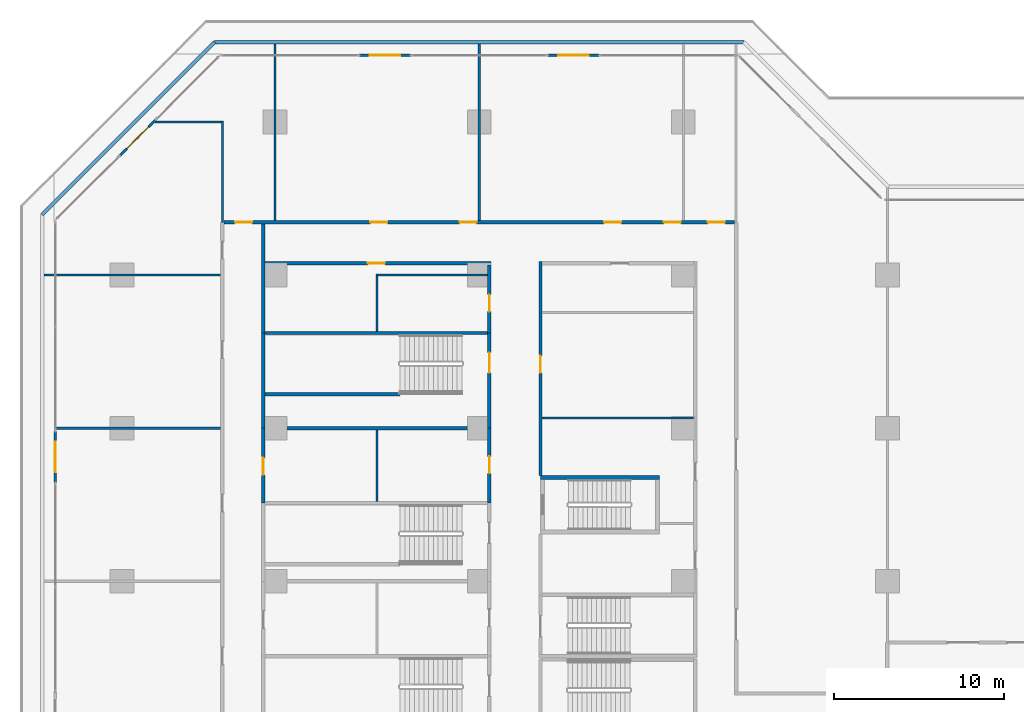
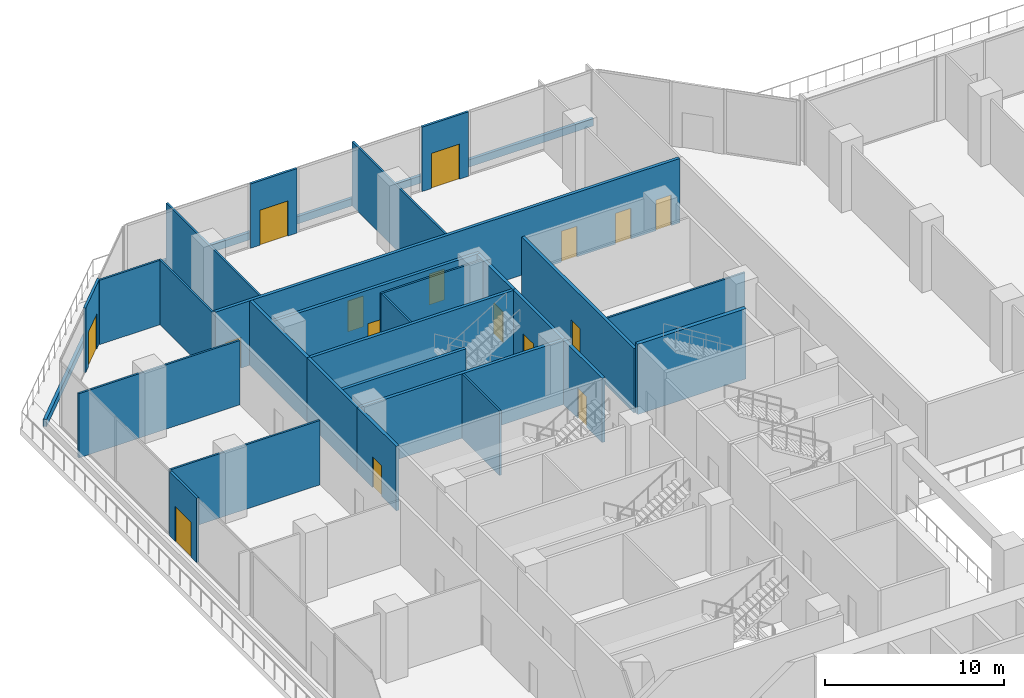
# One storey, part 21 of 31: 29 walls, 16 doors, 16 openings.
"""IFC4 building model written with IfcOpenShell, lengths in metres."""

import ifcopenshell
import ifcopenshell.guid

model = None  # the IFC model being written
_history = None  # IfcOwnerHistory: only IFC2X3 demands one
_inside = {}  # id of a spatial element -> (the spatial element, [elements in it])
_under = {}  # id of a project, library or spatial element -> (it, [spatial elements below it])
_declared = {}  # id of a project -> (the project, [libraries it declares])
_typed = {}  # id of a type object -> (the type object, [elements of that type])
_made_of = {}  # id of a material, layer set ... -> (it, [elements and type objects made of it])


def new_model(schema):
    """Start an empty IFC model of exactly this schema.

    Asked for "IFC4X3", IfcOpenShell would pick the latest addendum, in which some entities
    have other attributes; the version numbers below select the first issue.
    IFC2X3 requires an IfcOwnerHistory on every rooted entity: one is made here for all.
    """
    global model, _history
    if schema == "IFC4X3":
        model = ifcopenshell.file(schema_version=(4, 3, 0, 0))
    else:
        model = ifcopenshell.file(schema=schema)
    _inside.clear()
    _under.clear()
    _declared.clear()
    _typed.clear()
    _made_of.clear()
    _history = None
    if model.schema == "IFC2X3":
        org = make("IfcOrganization", Name="unknown")
        user = make(
            "IfcPersonAndOrganization",
            ThePerson=make("IfcPerson", FamilyName="unknown"),
            TheOrganization=org,
        )
        app = make(
            "IfcApplication",
            ApplicationDeveloper=org,
            Version="unknown",
            ApplicationFullName="unknown",
            ApplicationIdentifier="unknown",
        )
        _history = make(
            "IfcOwnerHistory",
            OwningUser=user,
            OwningApplication=app,
            ChangeAction="ADDED",
            CreationDate=0,
        )
    return model


def make(cls, **values):
    """One entity of the class cls with the attributes given. An attribute that is None is left unset."""
    return model.create_entity(
        cls, **{name: value for name, value in values.items() if value is not None}
    )


def rooted(cls, **values):
    """An entity with a GlobalId (a new one), such as an element, a storey or a relation."""
    return make(cls, GlobalId=ifcopenshell.guid.new(), OwnerHistory=_history, **values)


def si_unit(unit_type, name, prefix=None):
    """IfcSIUnit, for example si_unit("LENGTHUNIT", "METRE", prefix="MILLI")."""
    return make("IfcSIUnit", UnitType=unit_type, Prefix=prefix, Name=name)


def assignment(units):
    """IfcUnitAssignment: the units of a project."""
    return None if units is None else make("IfcUnitAssignment", Units=units)


def point(xyz):
    """IfcCartesianPoint."""
    return None if xyz is None else make("IfcCartesianPoint", Coordinates=xyz)


def direction(xyz):
    """IfcDirection."""
    return None if xyz is None else make("IfcDirection", DirectionRatios=xyz)


def frame(location, z_axis=None, x_axis=None):
    """IfcAxis2Placement3D, a coordinate frame: its origin and axes. An axis left out is left unset."""
    return make(
        "IfcAxis2Placement3D",
        Location=point(location),
        Axis=direction(z_axis),
        RefDirection=direction(x_axis),
    )


def frame_2d(location, x_axis=None):
    """IfcAxis2Placement2D, a coordinate frame in the plane: its origin and x axis."""
    return make(
        "IfcAxis2Placement2D", Location=point(location), RefDirection=direction(x_axis)
    )


def origin():
    """The frame at (0, 0, 0) with its axes left unset."""
    return frame((0.0, 0.0, 0.0))


def place(relative_to, where):
    """IfcLocalPlacement: puts the frame where relative to a parent placement (None: the world)."""
    return make(
        "IfcLocalPlacement", PlacementRelTo=relative_to, RelativePlacement=where
    )


def context(
    kind, dimensions, precision=None, world=None, true_north=None, identifier=None
):
    """IfcGeometricRepresentationContext, for example the 3D "Model" context."""
    return make(
        "IfcGeometricRepresentationContext",
        ContextIdentifier=identifier,
        ContextType=kind,
        CoordinateSpaceDimension=dimensions,
        Precision=precision,
        WorldCoordinateSystem=world,
        TrueNorth=true_north,
    )


def subcontext(parent, identifier, kind, view, scale=None):
    """IfcGeometricRepresentationSubContext, for example "Body" below "Model"."""
    return make(
        "IfcGeometricRepresentationSubContext",
        ContextIdentifier=identifier,
        ContextType=kind,
        ParentContext=parent,
        TargetScale=scale,
        TargetView=view,
    )


def project(units=None, contexts=None):
    """IfcProject with its units and contexts."""
    return rooted(
        "IfcProject",
        Name="project",
        RepresentationContexts=contexts,
        UnitsInContext=assignment(units),
    )


def spatial(cls, under=None, at=None, **own):
    """A site, building, storey or space (cls), placed at a placement, below another one or the project."""
    s = rooted(cls, ObjectPlacement=at, **own)
    if under is not None:
        _under.setdefault(under.id(), (under, []))[1].append(s)
    return s


def profile(cls, at=None, kind="AREA", **sizes):
    """A parametric profile (cls). Its sizes go by their IFC names, for example OverallWidth=200.0."""
    return make(cls, ProfileType=kind, Position=at, **sizes)


def rectangle(**sizes):
    """IfcRectangleProfileDef."""
    return profile("IfcRectangleProfileDef", **sizes)


def extrude(swept, where, along, depth):
    """IfcExtrudedAreaSolid: the profile swept, set in the frame where, extruded along a direction by depth."""
    return make(
        "IfcExtrudedAreaSolid",
        SweptArea=swept,
        Position=where,
        ExtrudedDirection=direction(along),
        Depth=depth,
    )


def shape(context_of_items, identifier, shape_type, items):
    """IfcShapeRepresentation: the items that make up one representation, for example the "Body"."""
    return make(
        "IfcShapeRepresentation",
        ContextOfItems=context_of_items,
        RepresentationIdentifier=identifier,
        RepresentationType=shape_type,
        Items=items,
    )


def material(Name=None, Category=None):
    """IfcMaterial."""
    return make("IfcMaterial", Name=Name, Category=Category)


def layer(
    of_material, thickness, ventilated=None, Name=None, Category=None, Priority=None
):
    """IfcMaterialLayer: one layer of a wall or slab, of a material (None: an air gap)."""
    return make(
        "IfcMaterialLayer",
        Material=of_material,
        LayerThickness=thickness,
        IsVentilated=ventilated,
        Name=Name,
        Category=Category,
        Priority=Priority,
    )


def layer_set(layers, Name=None):
    """IfcMaterialLayerSet."""
    return make("IfcMaterialLayerSet", MaterialLayers=layers, LayerSetName=Name)


def made_of(thing, what):
    """Note that an element or type object is made of a material, layer set ...; save() writes the relation."""
    if what is not None:
        _made_of.setdefault(what.id(), (what, []))[1].append(thing)
    return thing


def type_object(cls, material=None, **own):
    """A type object (cls), such as IfcWallType, which elements share."""
    return made_of(rooted(cls, **own), material)


def element(
    cls,
    number,
    at=None,
    inside=None,
    cuts=None,
    type_object=None,
    material=None,
    context=None,
    identifier="Body",
    shape_type=None,
    held_by="IfcProductDefinitionShape",
    body=None,
    shapes=None,
    **own,
):
    """One element of the class cls, such as IfcWall. Its Tag is "e" and its number.

    at: its placement. inside: the storey or other place that contains it. cuts: it is an
    opening in that element (IfcRelVoidsElement). A single representation is given by context,
    identifier, shape_type and body (its items); several are given by shapes. held_by: the class
    of the entity that holds the representations. save() writes the other relations.
    """
    e = rooted(cls, Tag="e%d" % number, ObjectPlacement=at, **own)
    if body is not None:
        shapes = [shape(context, identifier, shape_type, body)]
    if shapes is not None:
        e.Representation = make(held_by, Representations=shapes)
    if inside is not None:
        _inside.setdefault(inside.id(), (inside, []))[1].append(e)
    if cuts is not None:
        rooted(
            "IfcRelVoidsElement", RelatingBuildingElement=cuts, RelatedOpeningElement=e
        )
    if type_object is not None:
        _typed.setdefault(type_object.id(), (type_object, []))[1].append(e)
    return made_of(e, material)


def fill(opening, filler):
    """IfcRelFillsElement: the door or window that sits in an opening."""
    return rooted(
        "IfcRelFillsElement",
        RelatingOpeningElement=opening,
        RelatedBuildingElement=filler,
    )


def aggregate(whole, parts):
    """IfcRelAggregates: a whole, such as a stair, and the parts it consists of."""
    return rooted("IfcRelAggregates", RelatingObject=whole, RelatedObjects=parts)


def save(model, path):
    """Write the relations noted so far, then the file.

    IfcRelAggregates (storeys below a building ...), IfcRelContainedInSpatialStructure (elements
    in a storey), IfcRelDefinesByType, IfcRelAssociatesMaterial and IfcRelDeclares: one each for
    every whole, place, type object, material and project.
    """
    for whole, parts in _under.values():
        aggregate(whole, parts)
    for where, things in _inside.values():
        rooted(
            "IfcRelContainedInSpatialStructure",
            RelatedElements=things,
            RelatingStructure=where,
        )
    for kind, things in _typed.values():
        rooted("IfcRelDefinesByType", RelatedObjects=things, RelatingType=kind)
    for what, things in _made_of.values():
        rooted("IfcRelAssociatesMaterial", RelatedObjects=things, RelatingMaterial=what)
    for by, libraries in _declared.values():
        rooted("IfcRelDeclares", RelatingContext=by, RelatedDefinitions=libraries)
    model.write(path)


model = new_model("IFC4")

# Units and contexts
model_context = context("Model", 3, precision=1e-05, world=origin(), true_north=direction((0.0, 1.0)))
body_context = subcontext(model_context, "Body", "Model", "MODEL_VIEW")
ifc_project = project(units=[si_unit("LENGTHUNIT", "METRE"), si_unit("AREAUNIT", "SQUARE_METRE"), si_unit("VOLUMEUNIT", "CUBIC_METRE"), si_unit("PLANEANGLEUNIT", "RADIAN"), si_unit("MASSUNIT", "GRAM", prefix="KILO")], contexts=[model_context])

# Site, building, storey
site_placement = place(None, origin())
site = spatial("IfcSite", under=ifc_project, at=site_placement, CompositionType="ELEMENT")
building_placement = place(site_placement, origin())
building = spatial("IfcBuilding", under=site, at=building_placement, Name="Chenar Terraces", CompositionType="ELEMENT")
storey_placement = place(building_placement, frame((0.0, 0.0, 7.199951171875)))
storey = spatial("IfcBuildingStorey", under=building, at=storey_placement, Name="L01", CompositionType="ELEMENT", Elevation=7.199951171875)

# Walls
ifc_material_1 = material(Name="Gypsum board on steel studs with mineral wool", Category="steel")
ifc_layer_1 = layer(ifc_material_1, 0.125)
ifc_layer_set_1 = layer_set([ifc_layer_1], Name="Gypsum board on steel studs with mineral wool")
wall_type_1 = type_object("IfcWallType", Name="Acoustic partition 125", PredefinedType="PARTITIONING", material=ifc_layer_set_1)
wall_1_placement = place(storey_placement, frame((-12.925048828125, 54.0, 0.0), z_axis=(0.0, 0.0, 1.0), x_axis=(1.0, 0.0, 0.0)))
element("IfcWall", 1, at=wall_1_placement, inside=storey, type_object=wall_type_1, Name="Partition L01-004", PredefinedType="PARTITIONING", context=body_context, shape_type="SweptSolid", body=[
    extrude(rectangle(XDim=9.72509765625, YDim=0.125, at=frame_2d((4.862548828125, 0.0))), origin(), (0.0, 0.0, 1.0), 4.400146484375),
])
wall_2_placement = place(storey_placement, frame((-13.60009765625, 63.0, 0.0), z_axis=(0.0, 0.0, 1.0), x_axis=(1.0, 0.0, 0.0)))
element("IfcWall", 2, at=wall_2_placement, inside=storey, type_object=wall_type_1, Name="Partition L01-005", PredefinedType="PARTITIONING", context=body_context, shape_type="SweptSolid", body=[
    extrude(rectangle(XDim=10.400146484375, YDim=0.125, at=frame_2d((5.2001953125, 0.0))), origin(), (0.0, 0.0, 1.0), 4.400146484375),
])
wall_3_placement = place(storey_placement, frame((-7.052978515625, 72.0, 0.0), z_axis=(0.0, 0.0, 1.0), x_axis=(1.0, 0.0, 0.0)))
element("IfcWall", 3, at=wall_3_placement, inside=storey, type_object=wall_type_1, Name="Partition L01-007", PredefinedType="PARTITIONING", context=body_context, shape_type="SweptSolid", body=[
    extrude(rectangle(XDim=3.890869140625, YDim=0.125, at=frame_2d((1.9453125, 0.0))), origin(), (0.0, 0.0, 1.0), 4.400146484375),
])
wall_4_placement = place(storey_placement, frame((-3.10009765625, 66.10009765625, 0.0), z_axis=(0.0, 0.0, 1.0), x_axis=(0.0, 1.0, 0.0)))
element("IfcWall", 4, at=wall_4_placement, inside=storey, type_object=wall_type_1, Name="Partition L01-009", PredefinedType="PARTITIONING", context=body_context, shape_type="SweptSolid", body=[
    extrude(rectangle(XDim=5.9619140625, YDim=0.125, at=frame_2d((2.98095703125, 0.0))), origin(), (0.0, 0.0, 1.0), 4.400146484375),
])
wall_5_placement = place(storey_placement, frame((0.0, 66.199951171875, 0.0), z_axis=(0.0, 0.0, 1.0), x_axis=(0.0, 1.0, 0.0)))
element("IfcWall", 5, at=wall_5_placement, inside=storey, type_object=wall_type_1, Name="Partition L01-033", PredefinedType="PARTITIONING", context=body_context, shape_type="SweptSolid", body=[
    extrude(rectangle(XDim=10.400146484375, YDim=0.125, at=frame_2d((5.2001953125, 0.0))), origin(), (0.0, 0.0, 1.0), 4.400146484375),
])
wall_6_placement = place(storey_placement, frame((5.93798828125, 63.0, 0.0), z_axis=(0.0, 0.0, 1.0), x_axis=(1.0, 0.0, 0.0)))
element("IfcWall", 6, at=wall_6_placement, inside=storey, type_object=wall_type_1, Name="Partition L01-035", PredefinedType="PARTITIONING", context=body_context, shape_type="SweptSolid", body=[
    extrude(rectangle(XDim=6.56201171875, YDim=0.125, at=frame_2d((3.281005859375, 0.0))), origin(), (0.0, 0.0, 1.0), 4.400146484375),
])
wall_7_placement = place(storey_placement, frame((6.0, 49.699951171875, 0.0), z_axis=(0.0, 0.0, 1.0), x_axis=(0.0, 1.0, 0.0)))
element("IfcWall", 7, at=wall_7_placement, inside=storey, type_object=wall_type_1, Name="Partition L01-038", PredefinedType="PARTITIONING", context=body_context, shape_type="SweptSolid", body=[
    extrude(rectangle(XDim=4.199951171875, YDim=0.125, at=frame_2d((2.10009765625, 0.0))), origin(), (0.0, 0.0, 1.0), 4.400146484375),
])
wall_8_placement = place(storey_placement, frame((6.0, 59.699951171875, 0.0), z_axis=(0.0, 0.0, 1.0), x_axis=(0.0, 1.0, 0.0)))
element("IfcWall", 8, at=wall_8_placement, inside=storey, type_object=wall_type_1, Name="Partition L01-039", PredefinedType="PARTITIONING", context=body_context, shape_type="SweptSolid", body=[
    extrude(rectangle(XDim=3.238037109375, YDim=0.125, at=frame_2d((1.619140625, 0.0))), origin(), (0.0, 0.0, 1.0), 4.400146484375),
])
wall_9_placement = place(storey_placement, frame((12.0, 66.199951171875, 0.0), z_axis=(0.0, 0.0, 1.0), x_axis=(0.0, 1.0, 0.0)))
element("IfcWall", 9, at=wall_9_placement, inside=storey, type_object=wall_type_1, Name="Partition L01-042", PredefinedType="PARTITIONING", context=body_context, shape_type="SweptSolid", body=[
    extrude(rectangle(XDim=10.400146484375, YDim=0.125, at=frame_2d((5.2001953125, 0.0))), origin(), (0.0, 0.0, 1.0), 4.400146484375),
])
wall_10_placement = place(storey_placement, frame((15.699951171875, 54.60009765625, 0.0), z_axis=(0.0, 0.0, 1.0), x_axis=(1.0, 0.0, 0.0)))
element("IfcWall", 10, at=wall_10_placement, inside=storey, type_object=wall_type_1, Name="Partition L01-062", PredefinedType="PARTITIONING", context=body_context, shape_type="SweptSolid", body=[
    extrude(rectangle(XDim=8.900146484375, YDim=0.125, at=frame_2d((4.4501953125, 0.0))), origin(), (0.0, 0.0, 1.0), 4.400146484375),
])
ifc_material_2 = material(Name="Concrete C70/85", Category="concrete")
ifc_layer_2 = layer(ifc_material_2, 0.25)
ifc_layer_set_2 = layer_set([ifc_layer_2], Name="Concrete C70/85")
wall_type_2 = type_object("IfcWallType", Name="Core wall 250 Concrete C70/85", PredefinedType="SHEAR", material=ifc_layer_set_2)
wall_11_placement = place(storey_placement, frame((15.60009765625, 51.10009765625, 0.0), z_axis=(0.0, 0.0, 1.0), x_axis=(1.0, 0.0, 0.0)))
element("IfcWall", 11, at=wall_11_placement, inside=storey, type_object=wall_type_2, Name="Core wall ST4_N L01", PredefinedType="SHEAR", context=body_context, shape_type="SweptSolid", body=[
    extrude(rectangle(XDim=7.0, YDim=0.25, at=frame_2d((3.5, 0.0))), origin(), (0.0, 0.0, 1.0), 4.800048828125),
])

# Wall, openings, doors
ifc_material_3 = material(Name="Gypsum board on steel studs with fire boards", Category="steel")
ifc_layer_3 = layer(ifc_material_3, 0.199951171875)
ifc_layer_set_3 = layer_set([ifc_layer_3], Name="Gypsum board on steel studs with fire boards")
wall_type_3 = type_object("IfcWallType", Name="Corridor wall 200", PredefinedType="PARTITIONING", material=ifc_layer_set_3)
wall_12_placement = place(storey_placement, frame((-3.0, 66.10009765625, 0.0), z_axis=(0.0, 0.0, 1.0), x_axis=(1.0, 0.0, 0.0)))
wall_12 = element("IfcWall", 12, at=wall_12_placement, inside=storey, type_object=wall_type_3, Name="Partition L01-010", PredefinedType="PARTITIONING", context=body_context, shape_type="SweptSolid", body=[
    extrude(rectangle(XDim=30.0, YDim=0.199951171875, at=frame_2d((15.0, 0.0))), origin(), (0.0, 0.0, 1.0), 4.400146484375),
])
opening_1_placement = place(wall_12_placement, frame((0.64990234375, 0.0, 0.0)))
opening_1 = element("IfcOpeningElement", 13, at=opening_1_placement, cuts=wall_12, Name="Opening DL01-55", PredefinedType="OPENING", context=body_context, shape_type="SweptSolid", body=[
    extrude(rectangle(XDim=1.0, YDim=2.10009765625, at=frame_2d((0.5, 1.050048828125))), frame((0.0, 0.10986328125, 0.0), z_axis=(0.0, -1.0, 0.0), x_axis=(1.0, 0.0, 0.0)), (0.0, 0.0, 1.0), 0.219970703125),
])
opening_2_placement = place(wall_12_placement, frame((8.60009765625, 0.0, 0.0)))
opening_2 = element("IfcOpeningElement", 14, at=opening_2_placement, cuts=wall_12, Name="Opening DL01-56", PredefinedType="OPENING", context=body_context, shape_type="SweptSolid", body=[
    extrude(rectangle(XDim=1.0, YDim=2.10009765625, at=frame_2d((0.5, 1.050048828125))), frame((0.0, 0.10986328125, 0.0), z_axis=(0.0, -1.0, 0.0), x_axis=(1.0, 0.0, 0.0)), (0.0, 0.0, 1.0), 0.219970703125),
])
opening_3_placement = place(wall_12_placement, frame((13.85009765625, 0.0, 0.0)))
opening_3 = element("IfcOpeningElement", 15, at=opening_3_placement, cuts=wall_12, Name="Opening DL01-57", PredefinedType="OPENING", context=body_context, shape_type="SweptSolid", body=[
    extrude(rectangle(XDim=1.0, YDim=2.10009765625, at=frame_2d((0.5, 1.050048828125))), frame((0.0, 0.10986328125, 0.0), z_axis=(0.0, -1.0, 0.0), x_axis=(1.0, 0.0, 0.0)), (0.0, 0.0, 1.0), 0.219970703125),
])
opening_4_placement = place(wall_12_placement, frame((22.35009765625, 0.0, 0.0)))
opening_4 = element("IfcOpeningElement", 16, at=opening_4_placement, cuts=wall_12, Name="Opening DL01-58", PredefinedType="OPENING", context=body_context, shape_type="SweptSolid", body=[
    extrude(rectangle(XDim=1.0, YDim=2.10009765625, at=frame_2d((0.5, 1.050048828125))), frame((0.0, 0.10986328125, 0.0), z_axis=(0.0, -1.0, 0.0), x_axis=(1.0, 0.0, 0.0)), (0.0, 0.0, 1.0), 0.219970703125),
])
opening_5_placement = place(wall_12_placement, frame((25.85009765625, 0.0, 0.0)))
opening_5 = element("IfcOpeningElement", 17, at=opening_5_placement, cuts=wall_12, Name="Opening DL01-59", PredefinedType="OPENING", context=body_context, shape_type="SweptSolid", body=[
    extrude(rectangle(XDim=1.0, YDim=2.10009765625, at=frame_2d((0.5, 1.050048828125))), frame((0.0, 0.10986328125, 0.0), z_axis=(0.0, -1.0, 0.0), x_axis=(1.0, 0.0, 0.0)), (0.0, 0.0, 1.0), 0.219970703125),
])
opening_6_placement = place(wall_12_placement, frame((28.449951171875, 0.0, 0.0)))
opening_6 = element("IfcOpeningElement", 18, at=opening_6_placement, cuts=wall_12, Name="Opening DL01-60", PredefinedType="OPENING", context=body_context, shape_type="SweptSolid", body=[
    extrude(rectangle(XDim=1.0, YDim=2.10009765625, at=frame_2d((0.5, 1.050048828125))), frame((0.0, 0.10986328125, 0.0), z_axis=(0.0, -1.0, 0.0), x_axis=(1.0, 0.0, 0.0)), (0.0, 0.0, 1.0), 0.219970703125),
])
ifc_material_4 = material(Name="Steel-framed fire-resisting door leaf", Category="steel")
door_type_1 = type_object("IfcDoorType", Name="Fire door FD60 1000 x 2100", OperationType="SINGLE_SWING_LEFT", PredefinedType="DOOR", material=ifc_material_4)
door_1_placement = place(opening_1_placement, origin())
door_1 = element("IfcDoor", 19, at=door_1_placement, inside=storey, type_object=door_type_1, Name="Door DL01-55", OperationType="SINGLE_SWING_LEFT", OverallHeight=2.10009765625, OverallWidth=1.0, PredefinedType="DOOR", context=body_context, shape_type="SweptSolid", body=[
    extrude(rectangle(XDim=1.0, YDim=2.10009765625, at=frame_2d((0.5, 1.050048828125))), frame((0.0, 0.02490234375, 0.0), z_axis=(0.0, -1.0, 0.0), x_axis=(1.0, 0.0, 0.0)), (0.0, 0.0, 1.0), 0.050048828125),
])
fill(opening_1, door_1)
door_2_placement = place(opening_2_placement, origin())
door_2 = element("IfcDoor", 20, at=door_2_placement, inside=storey, type_object=door_type_1, Name="Door DL01-56", OperationType="SINGLE_SWING_RIGHT", OverallHeight=2.10009765625, OverallWidth=1.0, PredefinedType="DOOR", context=body_context, shape_type="SweptSolid", body=[
    extrude(rectangle(XDim=1.0, YDim=2.10009765625, at=frame_2d((0.5, 1.050048828125))), frame((0.0, 0.02490234375, 0.0), z_axis=(0.0, -1.0, 0.0), x_axis=(1.0, 0.0, 0.0)), (0.0, 0.0, 1.0), 0.050048828125),
])
fill(opening_2, door_2)
door_3_placement = place(opening_3_placement, origin())
door_3 = element("IfcDoor", 21, at=door_3_placement, inside=storey, type_object=door_type_1, Name="Door DL01-57", OperationType="SINGLE_SWING_RIGHT", OverallHeight=2.10009765625, OverallWidth=1.0, PredefinedType="DOOR", context=body_context, shape_type="SweptSolid", body=[
    extrude(rectangle(XDim=1.0, YDim=2.10009765625, at=frame_2d((0.5, 1.050048828125))), frame((0.0, 0.02490234375, 0.0), z_axis=(0.0, -1.0, 0.0), x_axis=(1.0, 0.0, 0.0)), (0.0, 0.0, 1.0), 0.050048828125),
])
fill(opening_3, door_3)
door_4_placement = place(opening_4_placement, frame((1.0, 0.0, 0.0), z_axis=(0.0, 0.0, 1.0), x_axis=(-1.0, 0.0, 0.0)))
door_4 = element("IfcDoor", 22, at=door_4_placement, inside=storey, type_object=door_type_1, Name="Door DL01-58", OperationType="SINGLE_SWING_LEFT", OverallHeight=2.10009765625, OverallWidth=1.0, PredefinedType="DOOR", context=body_context, shape_type="SweptSolid", body=[
    extrude(rectangle(XDim=1.0, YDim=2.10009765625, at=frame_2d((0.5, 1.050048828125))), frame((0.0, 0.02490234375, 0.0), z_axis=(0.0, -1.0, 0.0), x_axis=(1.0, 0.0, 0.0)), (0.0, 0.0, 1.0), 0.050048828125),
])
fill(opening_4, door_4)
door_5_placement = place(opening_5_placement, frame((1.0, 0.0, 0.0), z_axis=(0.0, 0.0, 1.0), x_axis=(-1.0, 0.0, 0.0)))
door_5 = element("IfcDoor", 23, at=door_5_placement, inside=storey, type_object=door_type_1, Name="Door DL01-59", OperationType="SINGLE_SWING_LEFT", OverallHeight=2.10009765625, OverallWidth=1.0, PredefinedType="DOOR", context=body_context, shape_type="SweptSolid", body=[
    extrude(rectangle(XDim=1.0, YDim=2.10009765625, at=frame_2d((0.5, 1.050048828125))), frame((0.0, 0.02490234375, 0.0), z_axis=(0.0, -1.0, 0.0), x_axis=(1.0, 0.0, 0.0)), (0.0, 0.0, 1.0), 0.050048828125),
])
fill(opening_5, door_5)
door_6_placement = place(opening_6_placement, origin())
door_6 = element("IfcDoor", 24, at=door_6_placement, inside=storey, type_object=door_type_1, Name="Door DL01-60", OperationType="SINGLE_SWING_RIGHT", OverallHeight=2.10009765625, OverallWidth=1.0, PredefinedType="DOOR", context=body_context, shape_type="SweptSolid", body=[
    extrude(rectangle(XDim=1.0, YDim=2.10009765625, at=frame_2d((0.5, 1.050048828125))), frame((0.0, 0.02490234375, 0.0), z_axis=(0.0, -1.0, 0.0), x_axis=(1.0, 0.0, 0.0)), (0.0, 0.0, 1.0), 0.050048828125),
])
fill(opening_6, door_6)

# Wall, opening, door
wall_13_placement = place(storey_placement, frame((-0.699951171875, 49.60009765625, 0.0), z_axis=(0.0, 0.0, 1.0), x_axis=(0.0, 1.0, 0.0)))
wall_13 = element("IfcWall", 25, at=wall_13_placement, inside=storey, type_object=wall_type_3, Name="Partition L01-019", PredefinedType="PARTITIONING", context=body_context, shape_type="SweptSolid", body=[
    extrude(rectangle(XDim=4.39990234375, YDim=0.199951171875, at=frame_2d((2.199951171875, 0.0))), origin(), (0.0, 0.0, 1.0), 4.400146484375),
])
opening_7_placement = place(wall_13_placement, frame((1.64990234375, 0.0, 0.0)))
opening_7 = element("IfcOpeningElement", 26, at=opening_7_placement, cuts=wall_13, Name="Opening DL01-39", PredefinedType="OPENING", context=body_context, shape_type="SweptSolid", body=[
    extrude(rectangle(XDim=1.0, YDim=2.10009765625, at=frame_2d((0.5, 1.050048828125))), frame((0.0, 0.10986328125, 0.0), z_axis=(0.0, -1.0, 0.0), x_axis=(1.0, 0.0, 0.0)), (0.0, 0.0, 1.0), 0.219970703125),
])
door_7_placement = place(opening_7_placement, frame((1.0, 0.0, 0.0), z_axis=(0.0, 0.0, 1.0), x_axis=(-1.0, 0.0, 0.0)))
door_7 = element("IfcDoor", 27, at=door_7_placement, inside=storey, type_object=door_type_1, Name="Door DL01-39", OperationType="SINGLE_SWING_LEFT", OverallHeight=2.10009765625, OverallWidth=1.0, PredefinedType="DOOR", context=body_context, shape_type="SweptSolid", body=[
    extrude(rectangle(XDim=1.0, YDim=2.10009765625, at=frame_2d((0.5, 1.050048828125))), frame((0.0, 0.02490234375, 0.0), z_axis=(0.0, -1.0, 0.0), x_axis=(1.0, 0.0, 0.0)), (0.0, 0.0, 1.0), 0.050048828125),
])
fill(opening_7, door_7)

# Wall
wall_14_placement = place(storey_placement, frame((-0.699951171875, 59.60009765625, 0.0), z_axis=(0.0, 0.0, 1.0), x_axis=(0.0, 1.0, 0.0)))
element("IfcWall", 28, at=wall_14_placement, inside=storey, type_object=wall_type_3, Name="Partition L01-021", PredefinedType="PARTITIONING", context=body_context, shape_type="SweptSolid", body=[
    extrude(rectangle(XDim=6.39990234375, YDim=0.199951171875, at=frame_2d((3.199951171875, 0.0))), origin(), (0.0, 0.0, 1.0), 4.400146484375),
])

# Wall, opening, door
wall_15_placement = place(storey_placement, frame((-0.60009765625, 63.699951171875, 0.0), z_axis=(0.0, 0.0, 1.0), x_axis=(1.0, 0.0, 0.0)))
wall_15 = element("IfcWall", 29, at=wall_15_placement, inside=storey, type_object=wall_type_3, Name="Partition L01-032", PredefinedType="PARTITIONING", context=body_context, shape_type="SweptSolid", body=[
    extrude(rectangle(XDim=13.300048828125, YDim=0.199951171875, at=frame_2d((6.64990234375, 0.0))), origin(), (0.0, 0.0, 1.0), 4.400146484375),
])
opening_8_placement = place(wall_15_placement, frame((6.050048828125, 0.0, 0.0)))
opening_8 = element("IfcOpeningElement", 30, at=opening_8_placement, cuts=wall_15, Name="Opening DL01-40", PredefinedType="OPENING", context=body_context, shape_type="SweptSolid", body=[
    extrude(rectangle(XDim=1.0, YDim=2.10009765625, at=frame_2d((0.5, 1.050048828125))), frame((0.0, 0.10986328125, 0.0), z_axis=(0.0, -1.0, 0.0), x_axis=(1.0, 0.0, 0.0)), (0.0, 0.0, 1.0), 0.219970703125),
])
door_8_placement = place(opening_8_placement, origin())
door_8 = element("IfcDoor", 31, at=door_8_placement, inside=storey, type_object=door_type_1, Name="Door DL01-40", OperationType="SINGLE_SWING_RIGHT", OverallHeight=2.10009765625, OverallWidth=1.0, PredefinedType="DOOR", context=body_context, shape_type="SweptSolid", body=[
    extrude(rectangle(XDim=1.0, YDim=2.10009765625, at=frame_2d((0.5, 1.050048828125))), frame((0.0, 0.02490234375, 0.0), z_axis=(0.0, -1.0, 0.0), x_axis=(1.0, 0.0, 0.0)), (0.0, 0.0, 1.0), 0.050048828125),
])
fill(opening_8, door_8)

wall_16_placement = place(storey_placement, frame((12.60009765625, 49.60009765625, 0.0), z_axis=(0.0, 0.0, 1.0), x_axis=(0.0, 1.0, 0.0)))
wall_16 = element("IfcWall", 32, at=wall_16_placement, inside=storey, type_object=wall_type_3, Name="Partition L01-048", PredefinedType="PARTITIONING", context=body_context, shape_type="SweptSolid", body=[
    extrude(rectangle(XDim=4.39990234375, YDim=0.199951171875, at=frame_2d((2.199951171875, 0.0))), origin(), (0.0, 0.0, 1.0), 4.400146484375),
])
opening_9_placement = place(wall_16_placement, frame((1.75, 0.0, 0.0)))
opening_9 = element("IfcOpeningElement", 33, at=opening_9_placement, cuts=wall_16, Name="Opening DL01-14", PredefinedType="OPENING", context=body_context, shape_type="SweptSolid", body=[
    extrude(rectangle(XDim=1.0, YDim=2.10009765625, at=frame_2d((0.5, 1.050048828125))), frame((0.0, 0.10986328125, 0.0), z_axis=(0.0, -1.0, 0.0), x_axis=(1.0, 0.0, 0.0)), (0.0, 0.0, 1.0), 0.219970703125),
])
door_9_placement = place(opening_9_placement, origin())
door_9 = element("IfcDoor", 34, at=door_9_placement, inside=storey, type_object=door_type_1, Name="Door DL01-14", OperationType="SINGLE_SWING_RIGHT", OverallHeight=2.10009765625, OverallWidth=1.0, PredefinedType="DOOR", context=body_context, shape_type="SweptSolid", body=[
    extrude(rectangle(XDim=1.0, YDim=2.10009765625, at=frame_2d((0.5, 1.050048828125))), frame((0.0, 0.02490234375, 0.0), z_axis=(0.0, -1.0, 0.0), x_axis=(1.0, 0.0, 0.0)), (0.0, 0.0, 1.0), 0.050048828125),
])
fill(opening_9, door_9)

wall_17_placement = place(storey_placement, frame((12.60009765625, 59.60009765625, 0.0), z_axis=(0.0, 0.0, 1.0), x_axis=(0.0, 1.0, 0.0)))
wall_17 = element("IfcWall", 35, at=wall_17_placement, inside=storey, type_object=wall_type_3, Name="Partition L01-050", PredefinedType="PARTITIONING", context=body_context, shape_type="SweptSolid", body=[
    extrude(rectangle(XDim=4.0, YDim=0.199951171875, at=frame_2d((2.0, 0.0))), origin(), (0.0, 0.0, 1.0), 4.400146484375),
])
opening_10_placement = place(wall_17_placement, frame((1.25, 0.0, 0.0)))
opening_10 = element("IfcOpeningElement", 36, at=opening_10_placement, cuts=wall_17, Name="Opening DL01-15", PredefinedType="OPENING", context=body_context, shape_type="SweptSolid", body=[
    extrude(rectangle(XDim=1.0, YDim=2.10009765625, at=frame_2d((0.5, 1.050048828125))), frame((0.0, 0.10986328125, 0.0), z_axis=(0.0, -1.0, 0.0), x_axis=(1.0, 0.0, 0.0)), (0.0, 0.0, 1.0), 0.219970703125),
])
door_10_placement = place(opening_10_placement, origin())
door_10 = element("IfcDoor", 37, at=door_10_placement, inside=storey, type_object=door_type_1, Name="Door DL01-15", OperationType="SINGLE_SWING_RIGHT", OverallHeight=2.10009765625, OverallWidth=1.0, PredefinedType="DOOR", context=body_context, shape_type="SweptSolid", body=[
    extrude(rectangle(XDim=1.0, YDim=2.10009765625, at=frame_2d((0.5, 1.050048828125))), frame((0.0, 0.02490234375, 0.0), z_axis=(0.0, -1.0, 0.0), x_axis=(1.0, 0.0, 0.0)), (0.0, 0.0, 1.0), 0.050048828125),
])
fill(opening_10, door_10)

wall_18_placement = place(storey_placement, frame((15.60009765625, 51.22509765625, 0.0), z_axis=(0.0, 0.0, 1.0), x_axis=(0.0, 1.0, 0.0)))
wall_18 = element("IfcWall", 38, at=wall_18_placement, inside=storey, type_object=wall_type_3, Name="Partition L01-056", PredefinedType="PARTITIONING", context=body_context, shape_type="SweptSolid", body=[
    extrude(rectangle(XDim=12.574951171875, YDim=0.199951171875, at=frame_2d((6.28759765625, 0.0))), origin(), (0.0, 0.0, 1.0), 4.400146484375),
])
opening_11_placement = place(wall_18_placement, frame((6.02490234375, 0.0, 0.0)))
opening_11 = element("IfcOpeningElement", 39, at=opening_11_placement, cuts=wall_18, Name="Opening DL01-27", PredefinedType="OPENING", context=body_context, shape_type="SweptSolid", body=[
    extrude(rectangle(XDim=1.0, YDim=2.10009765625, at=frame_2d((0.5, 1.050048828125))), frame((0.0, 0.10986328125, 0.0), z_axis=(0.0, -1.0, 0.0), x_axis=(1.0, 0.0, 0.0)), (0.0, 0.0, 1.0), 0.219970703125),
])
door_11_placement = place(opening_11_placement, frame((1.0, 0.0, 0.0), z_axis=(0.0, 0.0, 1.0), x_axis=(-1.0, 0.0, 0.0)))
door_11 = element("IfcDoor", 40, at=door_11_placement, inside=storey, type_object=door_type_1, Name="Door DL01-27", OperationType="SINGLE_SWING_LEFT", OverallHeight=2.10009765625, OverallWidth=1.0, PredefinedType="DOOR", context=body_context, shape_type="SweptSolid", body=[
    extrude(rectangle(XDim=1.0, YDim=2.10009765625, at=frame_2d((0.5, 1.050048828125))), frame((0.0, 0.02490234375, 0.0), z_axis=(0.0, -1.0, 0.0), x_axis=(1.0, 0.0, 0.0)), (0.0, 0.0, 1.0), 0.050048828125),
])
fill(opening_11, door_11)

ifc_material_5 = material(Name="Aluminium framed glazing", Category="aluminium")
ifc_layer_4 = layer(ifc_material_5, 0.14990234375)
ifc_layer_set_4 = layer_set([ifc_layer_4], Name="Aluminium framed glazing")
wall_type_4 = type_object("IfcWallType", Name="Podium glazed wall 150", PredefinedType="SOLIDWALL", material=ifc_layer_set_4)
wall_19_placement = place(storey_placement, frame((19.037841796875, 75.925048828125, 0.0), z_axis=(0.0, 0.0, 1.0), x_axis=(-1.0, 0.0, 0.0)))
wall_19 = element("IfcWall", 41, at=wall_19_placement, inside=storey, type_object=wall_type_4, Name="Podium glazed wall", PredefinedType="SOLIDWALL", context=body_context, shape_type="SweptSolid", body=[
    extrude(rectangle(XDim=3.0, YDim=0.14990234375, at=frame_2d((1.5, 0.0))), origin(), (0.0, 0.0, 1.0), 4.400146484375),
])
opening_12_placement = place(wall_19_placement, frame((0.60009765625, 0.0, 0.0)))
opening_12 = element("IfcOpeningElement", 42, at=opening_12_placement, cuts=wall_19, Name="Opening DL01-T1", PredefinedType="OPENING", context=body_context, shape_type="SweptSolid", body=[
    extrude(rectangle(XDim=1.800048828125, YDim=2.39990234375, at=frame_2d((0.89990234375, 1.199951171875))), frame((0.0, 0.0849609375, 0.0), z_axis=(0.0, -1.0, 0.0), x_axis=(1.0, 0.0, 0.0)), (0.0, 0.0, 1.0), 0.169921875),
])
ifc_material_6 = material(Name="Low emissivity double glazing, aluminium frame", Category="aluminium")
door_type_2 = type_object("IfcDoorType", Name="Terrace glazed double door 1800 x 2400", OperationType="DOUBLE_DOOR_SINGLE_SWING", PredefinedType="DOOR", material=ifc_material_6)
door_12_placement = place(opening_12_placement, frame((1.800048828125, 0.0, 0.0), z_axis=(0.0, 0.0, 1.0), x_axis=(-1.0, 0.0, 0.0)))
door_12 = element("IfcDoor", 43, at=door_12_placement, inside=storey, type_object=door_type_2, Name="Terrace glazed door", OperationType="DOUBLE_DOOR_SINGLE_SWING", OverallHeight=2.39990234375, OverallWidth=1.800048828125, PredefinedType="DOOR", context=body_context, shape_type="SweptSolid", body=[
    extrude(rectangle(XDim=1.800048828125, YDim=2.39990234375, at=frame_2d((0.89990234375, 1.199951171875))), frame((0.0, 0.02490234375, 0.0), z_axis=(0.0, -1.0, 0.0), x_axis=(1.0, 0.0, 0.0)), (0.0, 0.0, 1.0), 0.050048828125),
])
fill(opening_12, door_12)

wall_20_placement = place(storey_placement, frame((7.962158203125, 75.925048828125, 0.0), z_axis=(0.0, 0.0, 1.0), x_axis=(-1.0, 0.0, 0.0)))
wall_20 = element("IfcWall", 44, at=wall_20_placement, inside=storey, type_object=wall_type_4, Name="Podium glazed wall", PredefinedType="SOLIDWALL", context=body_context, shape_type="SweptSolid", body=[
    extrude(rectangle(XDim=3.0, YDim=0.14990234375, at=frame_2d((1.5, 0.0))), origin(), (0.0, 0.0, 1.0), 4.400146484375),
])
opening_13_placement = place(wall_20_placement, frame((0.60009765625, 0.0, 0.0)))
opening_13 = element("IfcOpeningElement", 45, at=opening_13_placement, cuts=wall_20, Name="Opening DL01-T2", PredefinedType="OPENING", context=body_context, shape_type="SweptSolid", body=[
    extrude(rectangle(XDim=1.800048828125, YDim=2.39990234375, at=frame_2d((0.89990234375, 1.199951171875))), frame((0.0, 0.0849609375, 0.0), z_axis=(0.0, -1.0, 0.0), x_axis=(1.0, 0.0, 0.0)), (0.0, 0.0, 1.0), 0.169921875),
])
door_13_placement = place(opening_13_placement, frame((1.800048828125, 0.0, 0.0), z_axis=(0.0, 0.0, 1.0), x_axis=(-1.0, 0.0, 0.0)))
door_13 = element("IfcDoor", 46, at=door_13_placement, inside=storey, type_object=door_type_2, Name="Terrace glazed door", OperationType="DOUBLE_DOOR_SINGLE_SWING", OverallHeight=2.39990234375, OverallWidth=1.800048828125, PredefinedType="DOOR", context=body_context, shape_type="SweptSolid", body=[
    extrude(rectangle(XDim=1.800048828125, YDim=2.39990234375, at=frame_2d((0.89990234375, 1.199951171875))), frame((0.0, 0.02490234375, 0.0), z_axis=(0.0, -1.0, 0.0), x_axis=(1.0, 0.0, 0.0)), (0.0, 0.0, 1.0), 0.050048828125),
])
fill(opening_13, door_13)

wall_21_placement = place(storey_placement, frame((-7.01806640625, 72.139404296875, 0.0), z_axis=(0.0, 0.0, 1.0), x_axis=(-0.707106781187, -0.707106781187, 0.0)))
wall_21 = element("IfcWall", 47, at=wall_21_placement, inside=storey, type_object=wall_type_4, Name="Podium glazed wall", PredefinedType="SOLIDWALL", context=body_context, shape_type="SweptSolid", body=[
    extrude(rectangle(XDim=3.0, YDim=0.14990234375, at=frame_2d((1.5, 0.0))), origin(), (0.0, 0.0, 1.0), 4.400146484375),
])
opening_14_placement = place(wall_21_placement, frame((0.60009765625, 0.0, 0.0)))
opening_14 = element("IfcOpeningElement", 48, at=opening_14_placement, cuts=wall_21, Name="Opening DL01-T1", PredefinedType="OPENING", context=body_context, shape_type="SweptSolid", body=[
    extrude(rectangle(XDim=1.800048828125, YDim=2.39990234375, at=frame_2d((0.89990234375, 1.199951171875))), frame((0.0, 0.0849609375, 0.0), z_axis=(0.0, -1.0, 0.0), x_axis=(1.0, 0.0, 0.0)), (0.0, 0.0, 1.0), 0.169921875),
])
door_14_placement = place(opening_14_placement, origin())
door_14 = element("IfcDoor", 49, at=door_14_placement, inside=storey, type_object=door_type_2, Name="Terrace glazed door", OperationType="DOUBLE_DOOR_SINGLE_SWING", OverallHeight=2.39990234375, OverallWidth=1.800048828125, PredefinedType="DOOR", context=body_context, shape_type="SweptSolid", body=[
    extrude(rectangle(XDim=1.800048828125, YDim=2.39990234375, at=frame_2d((0.89990234375, 1.199951171875))), frame((0.0, 0.02490234375, 0.0), z_axis=(0.0, -1.0, 0.0), x_axis=(1.0, 0.0, 0.0)), (0.0, 0.0, 1.0), 0.050048828125),
])
fill(opening_14, door_14)

wall_22_placement = place(storey_placement, frame((-12.925048828125, 53.806640625, 0.0), z_axis=(0.0, 0.0, 1.0), x_axis=(0.0, -1.0, 0.0)))
wall_22 = element("IfcWall", 50, at=wall_22_placement, inside=storey, type_object=wall_type_4, Name="Podium glazed wall", PredefinedType="SOLIDWALL", context=body_context, shape_type="SweptSolid", body=[
    extrude(rectangle(XDim=3.0, YDim=0.14990234375, at=frame_2d((1.5, 0.0))), origin(), (0.0, 0.0, 1.0), 4.400146484375),
])
opening_15_placement = place(wall_22_placement, frame((0.60009765625, 0.0, 0.0)))
opening_15 = element("IfcOpeningElement", 51, at=opening_15_placement, cuts=wall_22, Name="Opening DL01-T1", PredefinedType="OPENING", context=body_context, shape_type="SweptSolid", body=[
    extrude(rectangle(XDim=1.800048828125, YDim=2.39990234375, at=frame_2d((0.89990234375, 1.199951171875))), frame((0.0, 0.0849609375, 0.0), z_axis=(0.0, -1.0, 0.0), x_axis=(1.0, 0.0, 0.0)), (0.0, 0.0, 1.0), 0.169921875),
])
door_15_placement = place(opening_15_placement, frame((1.800048828125, 0.0, 0.0), z_axis=(0.0, 0.0, 1.0), x_axis=(-1.0, 0.0, 0.0)))
door_15 = element("IfcDoor", 52, at=door_15_placement, inside=storey, type_object=door_type_2, Name="Terrace glazed door", OperationType="DOUBLE_DOOR_SINGLE_SWING", OverallHeight=2.39990234375, OverallWidth=1.800048828125, PredefinedType="DOOR", context=body_context, shape_type="SweptSolid", body=[
    extrude(rectangle(XDim=1.800048828125, YDim=2.39990234375, at=frame_2d((0.89990234375, 1.199951171875))), frame((0.0, 0.02490234375, 0.0), z_axis=(0.0, -1.0, 0.0), x_axis=(1.0, 0.0, 0.0)), (0.0, 0.0, 1.0), 0.050048828125),
])
fill(opening_15, door_15)

# Walls
ifc_material_7 = material(Name="Reinforced concrete C40/50", Category="concrete")
ifc_layer_5 = layer(ifc_material_7, 0.199951171875)
ifc_layer_set_5 = layer_set([ifc_layer_5], Name="Reinforced concrete C40/50")
wall_type_5 = type_object("IfcWallType", Name="Stair enclosure wall 200 concrete", PredefinedType="SOLIDWALL", material=ifc_layer_set_5)
wall_23_placement = place(storey_placement, frame((-0.699951171875, 54.0, 0.0), z_axis=(0.0, 0.0, 1.0), x_axis=(0.0, 1.0, 0.0)))
element("IfcWall", 53, at=wall_23_placement, inside=storey, type_object=wall_type_5, Name="Stair enclosure wall L01-020", PredefinedType="SOLIDWALL", context=body_context, shape_type="SweptSolid", body=[
    extrude(rectangle(XDim=5.60009765625, YDim=0.199951171875, at=frame_2d((2.800048828125, 0.0))), origin(), (0.0, 0.0, 1.0), 4.400146484375),
])
for number, where, z_axis, x_axis, name in (
    (54, (-0.60009765625, 54.0, 0.0), (0.0, 0.0, 1.0), (1.0, 0.0, 0.0), "Stair enclosure wall L01-030"),
    (55, (-0.60009765625, 59.60009765625, 0.0), (0.0, 0.0, 1.0), (1.0, 0.0, 0.0), "Stair enclosure wall L01-031"),
):
    element("IfcWall", number, at=place(storey_placement, frame(where, z_axis=z_axis, x_axis=x_axis)), inside=storey, type_object=wall_type_5, Name=name, PredefinedType="SOLIDWALL", context=body_context, shape_type="SweptSolid", body=[
        extrude(rectangle(XDim=13.10009765625, YDim=0.199951171875, at=frame_2d((6.550048828125, 0.0))), origin(), (0.0, 0.0, 1.0), 4.400146484375),
    ])

# Wall, opening, door
wall_24_placement = place(storey_placement, frame((12.60009765625, 54.0, 0.0), z_axis=(0.0, 0.0, 1.0), x_axis=(0.0, 1.0, 0.0)))
wall_24 = element("IfcWall", 56, at=wall_24_placement, inside=storey, type_object=wall_type_5, Name="Stair enclosure wall L01-049", PredefinedType="SOLIDWALL", context=body_context, shape_type="SweptSolid", body=[
    extrude(rectangle(XDim=5.60009765625, YDim=0.199951171875, at=frame_2d((2.800048828125, 0.0))), origin(), (0.0, 0.0, 1.0), 4.400146484375),
])
opening_16_placement = place(wall_24_placement, frame((3.25, 0.0, 0.0)))
opening_16 = element("IfcOpeningElement", 57, at=opening_16_placement, cuts=wall_24, Name="Opening DL01-82", PredefinedType="OPENING", context=body_context, shape_type="SweptSolid", body=[
    extrude(rectangle(XDim=1.199951171875, YDim=2.10009765625, at=frame_2d((0.60009765625, 1.050048828125))), frame((0.0, 0.10986328125, 0.0), z_axis=(0.0, -1.0, 0.0), x_axis=(1.0, 0.0, 0.0)), (0.0, 0.0, 1.0), 0.219970703125),
])
ifc_material_8 = material(Name="Steel-framed fire-resisting door leaf", Category="steel")
door_type_3 = type_object("IfcDoorType", Name="Fire door FD120 1200 x 2100", OperationType="SINGLE_SWING_LEFT", PredefinedType="DOOR", material=ifc_material_8)
door_16_placement = place(opening_16_placement, origin())
door_16 = element("IfcDoor", 58, at=door_16_placement, inside=storey, type_object=door_type_3, Name="Door DL01-82", OperationType="SINGLE_SWING_RIGHT", OverallHeight=2.10009765625, OverallWidth=1.199951171875, PredefinedType="DOOR", context=body_context, shape_type="SweptSolid", body=[
    extrude(rectangle(XDim=1.199951171875, YDim=2.10009765625, at=frame_2d((0.60009765625, 1.050048828125))), frame((0.0, 0.02490234375, 0.0), z_axis=(0.0, -1.0, 0.0), x_axis=(1.0, 0.0, 0.0)), (0.0, 0.0, 1.0), 0.050048828125),
])
fill(opening_16, door_16)

# Walls
wall_25_placement = place(storey_placement, frame((-0.60009765625, 56.0, 0.0), z_axis=(0.0, 0.0, 1.0), x_axis=(1.0, 0.0, 0.0)))
element("IfcWall", 59, at=wall_25_placement, inside=storey, type_object=wall_type_5, Name="Stair enclosure wall L01-PS3-020", PredefinedType="SOLIDWALL", context=body_context, shape_type="SweptSolid", body=[
    extrude(rectangle(XDim=7.945068359375, YDim=0.199951171875, at=frame_2d((3.97265625, 0.0))), origin(), (0.0, 0.0, 1.0), 4.400146484375),
])
ifc_material_9 = material(Name="Terracotta cladding on insulated backing", Category="masonry")
ifc_layer_6 = layer(ifc_material_9, 0.199951171875)
ifc_layer_set_6 = layer_set([ifc_layer_6], Name="Terracotta cladding on insulated backing")
wall_type_6 = type_object("IfcWallType", Name="Terrace parapet upstand 200", PredefinedType="PARAPET", material=ifc_layer_set_6)
wall_26_placement = place(storey_placement, frame((-13.699951171875, 66.553466796875, 0.0), z_axis=(0.0, 0.0, 1.0), x_axis=(0.707106781187, 0.707106781187, 0.0)))
element("IfcWall", 60, at=wall_26_placement, inside=storey, type_object=wall_type_6, Name="Terrace parapet", PredefinedType="PARAPET", context=body_context, shape_type="SweptSolid", body=[
    extrude(rectangle(XDim=14.349365234375, YDim=0.199951171875, at=frame_2d((7.1748046875, 0.0))), origin(), (0.0, 0.0, 1.0), 0.5),
])
wall_27_placement = place(storey_placement, frame((-3.553466796875, 76.699951171875, 0.0), z_axis=(0.0, 0.0, 1.0), x_axis=(1.0, 0.0, 0.0)))
element("IfcWall", 61, at=wall_27_placement, inside=storey, type_object=wall_type_6, Name="Terrace parapet", PredefinedType="PARAPET", context=body_context, shape_type="SweptSolid", body=[
    extrude(rectangle(XDim=31.10693359375, YDim=0.199951171875, at=frame_2d((15.553466796875, 0.0))), origin(), (0.0, 0.0, 1.0), 0.5),
])

save(model, "model.ifc")
